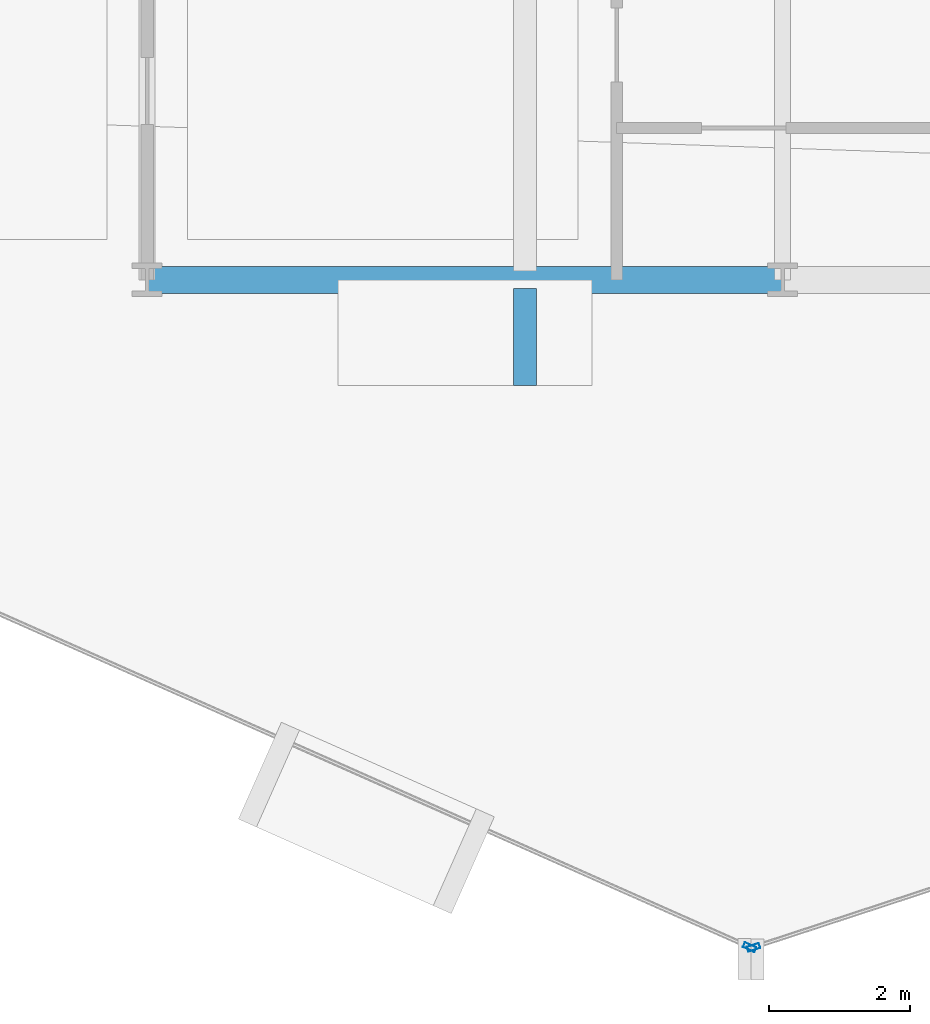
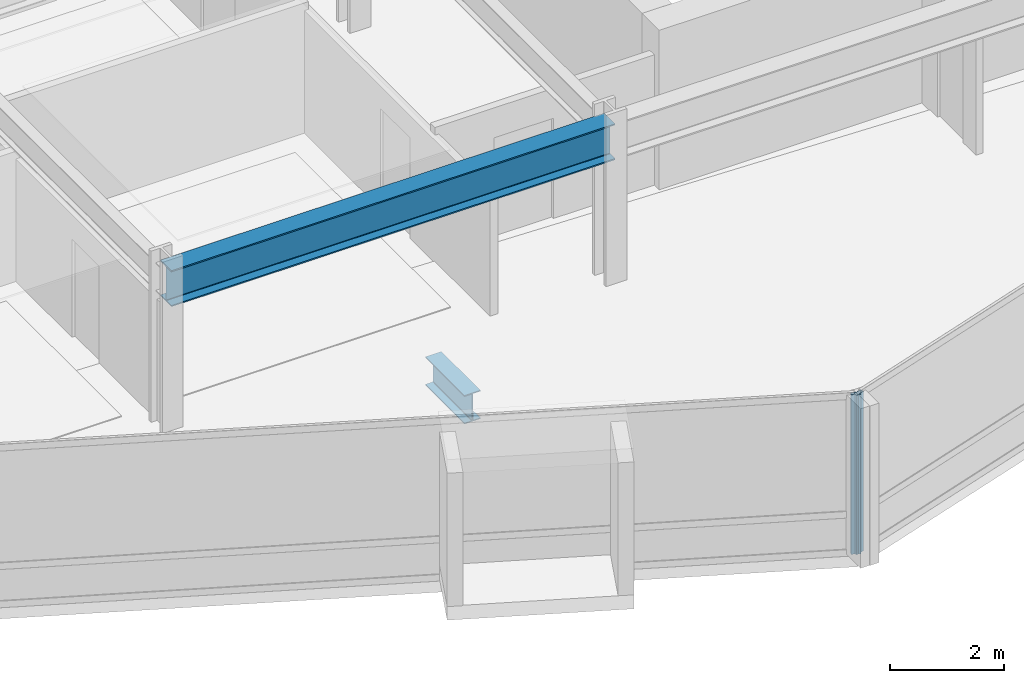
# One storey, part 4 of 34: 2 beams, 2 members, 2 elements without a shape of their own.
"""IFC4 building model written with IfcOpenShell, lengths in metres."""

import ifcopenshell
import ifcopenshell.guid

model = None  # the IFC model being written
_history = None  # IfcOwnerHistory: only IFC2X3 demands one
_inside = {}  # id of a spatial element -> (the spatial element, [elements in it])
_under = {}  # id of a project, library or spatial element -> (it, [spatial elements below it])
_declared = {}  # id of a project -> (the project, [libraries it declares])
_typed = {}  # id of a type object -> (the type object, [elements of that type])
_made_of = {}  # id of a material, layer set ... -> (it, [elements and type objects made of it])


def new_model(schema):
    """Start an empty IFC model of exactly this schema.

    Asked for "IFC4X3", IfcOpenShell would pick the latest addendum, in which some entities
    have other attributes; the version numbers below select the first issue.
    IFC2X3 requires an IfcOwnerHistory on every rooted entity: one is made here for all.
    """
    global model, _history
    if schema == "IFC4X3":
        model = ifcopenshell.file(schema_version=(4, 3, 0, 0))
    else:
        model = ifcopenshell.file(schema=schema)
    _inside.clear()
    _under.clear()
    _declared.clear()
    _typed.clear()
    _made_of.clear()
    _history = None
    if model.schema == "IFC2X3":
        org = make("IfcOrganization", Name="unknown")
        user = make(
            "IfcPersonAndOrganization",
            ThePerson=make("IfcPerson", FamilyName="unknown"),
            TheOrganization=org,
        )
        app = make(
            "IfcApplication",
            ApplicationDeveloper=org,
            Version="unknown",
            ApplicationFullName="unknown",
            ApplicationIdentifier="unknown",
        )
        _history = make(
            "IfcOwnerHistory",
            OwningUser=user,
            OwningApplication=app,
            ChangeAction="ADDED",
            CreationDate=0,
        )
    return model


def make(cls, **values):
    """One entity of the class cls with the attributes given. An attribute that is None is left unset."""
    return model.create_entity(
        cls, **{name: value for name, value in values.items() if value is not None}
    )


def rooted(cls, **values):
    """An entity with a GlobalId (a new one), such as an element, a storey or a relation."""
    return make(cls, GlobalId=ifcopenshell.guid.new(), OwnerHistory=_history, **values)


def si_unit(unit_type, name, prefix=None):
    """IfcSIUnit, for example si_unit("LENGTHUNIT", "METRE", prefix="MILLI")."""
    return make("IfcSIUnit", UnitType=unit_type, Prefix=prefix, Name=name)


def assignment(units):
    """IfcUnitAssignment: the units of a project."""
    return None if units is None else make("IfcUnitAssignment", Units=units)


def point(xyz):
    """IfcCartesianPoint."""
    return None if xyz is None else make("IfcCartesianPoint", Coordinates=xyz)


def direction(xyz):
    """IfcDirection."""
    return None if xyz is None else make("IfcDirection", DirectionRatios=xyz)


def frame(location, z_axis=None, x_axis=None):
    """IfcAxis2Placement3D, a coordinate frame: its origin and axes. An axis left out is left unset."""
    return make(
        "IfcAxis2Placement3D",
        Location=point(location),
        Axis=direction(z_axis),
        RefDirection=direction(x_axis),
    )


def frame_2d(location, x_axis=None):
    """IfcAxis2Placement2D, a coordinate frame in the plane: its origin and x axis."""
    return make(
        "IfcAxis2Placement2D", Location=point(location), RefDirection=direction(x_axis)
    )


def origin():
    """The frame at (0, 0, 0) with its axes left unset."""
    return frame((0.0, 0.0, 0.0))


def origin_2d():
    """The frame at (0, 0) in the plane with its x axis left unset."""
    return frame_2d((0.0, 0.0))


def place(relative_to, where):
    """IfcLocalPlacement: puts the frame where relative to a parent placement (None: the world)."""
    return make(
        "IfcLocalPlacement", PlacementRelTo=relative_to, RelativePlacement=where
    )


def context(
    kind, dimensions, precision=None, world=None, true_north=None, identifier=None
):
    """IfcGeometricRepresentationContext, for example the 3D "Model" context."""
    return make(
        "IfcGeometricRepresentationContext",
        ContextIdentifier=identifier,
        ContextType=kind,
        CoordinateSpaceDimension=dimensions,
        Precision=precision,
        WorldCoordinateSystem=world,
        TrueNorth=true_north,
    )


def subcontext(parent, identifier, kind, view, scale=None):
    """IfcGeometricRepresentationSubContext, for example "Body" below "Model"."""
    return make(
        "IfcGeometricRepresentationSubContext",
        ContextIdentifier=identifier,
        ContextType=kind,
        ParentContext=parent,
        TargetScale=scale,
        TargetView=view,
    )


def project(units=None, contexts=None):
    """IfcProject with its units and contexts."""
    return rooted(
        "IfcProject",
        Name="project",
        RepresentationContexts=contexts,
        UnitsInContext=assignment(units),
    )


def spatial(cls, under=None, at=None, **own):
    """A site, building, storey or space (cls), placed at a placement, below another one or the project."""
    s = rooted(cls, ObjectPlacement=at, **own)
    if under is not None:
        _under.setdefault(under.id(), (under, []))[1].append(s)
    return s


def profile(cls, at=None, kind="AREA", **sizes):
    """A parametric profile (cls). Its sizes go by their IFC names, for example OverallWidth=200.0."""
    return make(cls, ProfileType=kind, Position=at, **sizes)


def hollow_rectangle(**sizes):
    """IfcRectangleHollowProfileDef."""
    return profile("IfcRectangleHollowProfileDef", **sizes)


def i_section(**sizes):
    """IfcIShapeProfileDef."""
    return profile("IfcIShapeProfileDef", **sizes)


def extrude(swept, where, along, depth):
    """IfcExtrudedAreaSolid: the profile swept, set in the frame where, extruded along a direction by depth."""
    return make(
        "IfcExtrudedAreaSolid",
        SweptArea=swept,
        Position=where,
        ExtrudedDirection=direction(along),
        Depth=depth,
    )


def shape(context_of_items, identifier, shape_type, items):
    """IfcShapeRepresentation: the items that make up one representation, for example the "Body"."""
    return make(
        "IfcShapeRepresentation",
        ContextOfItems=context_of_items,
        RepresentationIdentifier=identifier,
        RepresentationType=shape_type,
        Items=items,
    )


def material(Name=None, Category=None):
    """IfcMaterial."""
    return make("IfcMaterial", Name=Name, Category=Category)


def layer(
    of_material, thickness, ventilated=None, Name=None, Category=None, Priority=None
):
    """IfcMaterialLayer: one layer of a wall or slab, of a material (None: an air gap)."""
    return make(
        "IfcMaterialLayer",
        Material=of_material,
        LayerThickness=thickness,
        IsVentilated=ventilated,
        Name=Name,
        Category=Category,
        Priority=Priority,
    )


def layer_set(layers, Name=None):
    """IfcMaterialLayerSet."""
    return make("IfcMaterialLayerSet", MaterialLayers=layers, LayerSetName=Name)


def material_profile(
    of_material, cross_section, Name=None, Category=None, Priority=None
):
    """IfcMaterialProfile: a cross section and its material."""
    return make(
        "IfcMaterialProfile",
        Name=Name,
        Material=of_material,
        Profile=cross_section,
        Priority=Priority,
        Category=Category,
    )


def profile_set(profiles, Name=None, composite=None):
    """IfcMaterialProfileSet."""
    return make(
        "IfcMaterialProfileSet",
        Name=Name,
        MaterialProfiles=profiles,
        CompositeProfile=composite,
    )


def made_of(thing, what):
    """Note that an element or type object is made of a material, layer set ...; save() writes the relation."""
    if what is not None:
        _made_of.setdefault(what.id(), (what, []))[1].append(thing)
    return thing


def type_object(cls, material=None, **own):
    """A type object (cls), such as IfcWallType, which elements share."""
    return made_of(rooted(cls, **own), material)


def element(
    cls,
    number,
    at=None,
    inside=None,
    cuts=None,
    type_object=None,
    material=None,
    context=None,
    identifier="Body",
    shape_type=None,
    held_by="IfcProductDefinitionShape",
    body=None,
    shapes=None,
    **own,
):
    """One element of the class cls, such as IfcWall. Its Tag is "e" and its number.

    at: its placement. inside: the storey or other place that contains it. cuts: it is an
    opening in that element (IfcRelVoidsElement). A single representation is given by context,
    identifier, shape_type and body (its items); several are given by shapes. held_by: the class
    of the entity that holds the representations. save() writes the other relations.
    """
    e = rooted(cls, Tag="e%d" % number, ObjectPlacement=at, **own)
    if body is not None:
        shapes = [shape(context, identifier, shape_type, body)]
    if shapes is not None:
        e.Representation = make(held_by, Representations=shapes)
    if inside is not None:
        _inside.setdefault(inside.id(), (inside, []))[1].append(e)
    if cuts is not None:
        rooted(
            "IfcRelVoidsElement", RelatingBuildingElement=cuts, RelatedOpeningElement=e
        )
    if type_object is not None:
        _typed.setdefault(type_object.id(), (type_object, []))[1].append(e)
    return made_of(e, material)


def aggregate(whole, parts):
    """IfcRelAggregates: a whole, such as a stair, and the parts it consists of."""
    return rooted("IfcRelAggregates", RelatingObject=whole, RelatedObjects=parts)


def save(model, path):
    """Write the relations noted so far, then the file.

    IfcRelAggregates (storeys below a building ...), IfcRelContainedInSpatialStructure (elements
    in a storey), IfcRelDefinesByType, IfcRelAssociatesMaterial and IfcRelDeclares: one each for
    every whole, place, type object, material and project.
    """
    for whole, parts in _under.values():
        aggregate(whole, parts)
    for where, things in _inside.values():
        rooted(
            "IfcRelContainedInSpatialStructure",
            RelatedElements=things,
            RelatingStructure=where,
        )
    for kind, things in _typed.values():
        rooted("IfcRelDefinesByType", RelatedObjects=things, RelatingType=kind)
    for what, things in _made_of.values():
        rooted("IfcRelAssociatesMaterial", RelatedObjects=things, RelatingMaterial=what)
    for by, libraries in _declared.values():
        rooted("IfcRelDeclares", RelatingContext=by, RelatedDefinitions=libraries)
    model.write(path)


model = new_model("IFC4")

# Units and contexts
model_context = context("Model", 3, precision=1e-05, world=origin(), true_north=direction((0.0, 1.0)))
body_context = subcontext(model_context, "Body", "Model", "MODEL_VIEW")
ifc_project = project(units=[si_unit("LENGTHUNIT", "METRE"), si_unit("AREAUNIT", "SQUARE_METRE"), si_unit("VOLUMEUNIT", "CUBIC_METRE"), si_unit("PLANEANGLEUNIT", "RADIAN"), si_unit("MASSUNIT", "GRAM", prefix="KILO")], contexts=[model_context])

# Site, building, storey
site_placement = place(None, origin())
site = spatial("IfcSite", under=ifc_project, at=site_placement, CompositionType="ELEMENT")
building_placement = place(site_placement, origin())
building = spatial("IfcBuilding", under=site, at=building_placement, Name="Solvaryn Broadcast Tower", CompositionType="ELEMENT")
storey_placement = place(building_placement, frame((0.0, 0.0, 92.800048828125)))
storey = spatial("IfcBuildingStorey", under=building, at=storey_placement, Name="L22", CompositionType="ELEMENT", Elevation=92.800048828125)

# Beams
ifc_material_1 = material(Name="Steel ASTM A992 Grade 50", Category="steel")
ifc_material_profile_1 = material_profile(ifc_material_1, i_section(OverallWidth=0.323974609375, OverallDepth=0.611083984375, WebThickness=0.0126953125, FlangeThickness=0.01904296875, FilletRadius=0.014892578125, at=origin_2d()))
ifc_profile_set_1 = profile_set([ifc_material_profile_1], Name="Steel ASTM A992 Grade 50")
beam_type_1 = type_object("IfcBeamType", Name="BM-CANT-TER", PredefinedType="BEAM", material=ifc_profile_set_1)
beam_1_placement = place(storey_placement, frame((23.35009765625, 8.875, -0.58544921875), z_axis=(0.0, -1.0, 0.0), x_axis=(1.0, 0.0, 0.0)))
element("IfcBeam", 1, at=beam_1_placement, inside=storey, type_object=beam_type_1, Name="L22 Bay-Box Cantilever Bracket 1", PredefinedType="BEAM", context=body_context, shape_type="SweptSolid", body=[
    extrude(i_section(OverallWidth=0.323974609375, OverallDepth=0.611083984375, WebThickness=0.0126953125, FlangeThickness=0.01904296875, FilletRadius=0.014892578125, at=origin_2d()), origin(), (0.0, 0.0, 1.0), 1.375),
])
ifc_material_2 = material(Name="Steel ASTM A992 Grade 50", Category="steel")
ifc_material_profile_2 = material_profile(ifc_material_2, i_section(OverallWidth=0.381103515625, OverallDepth=0.77294921875, WebThickness=0.0166015625, FlangeThickness=0.027099609375, FilletRadius=0.01806640625, at=origin_2d()))
ifc_profile_set_2 = profile_set([ifc_material_profile_2], Name="Steel ASTM A992 Grade 50")
beam_type_2 = type_object("IfcBeamType", Name="BM-SP1-W30X173", PredefinedType="USERDEFINED", material=ifc_profile_set_2)
beam_2_placement = place(storey_placement, frame((18.0, 9.0, 3.033447265625), z_axis=(1.0, 0.0, 0.0), x_axis=(0.0, 1.0, 0.0)))
element("IfcBeam", 2, at=beam_2_placement, inside=storey, type_object=beam_type_2, Name="L22 Spandrel Beam X (18-27 @ Y=9)", ObjectType="SPANDREL", PredefinedType="USERDEFINED", context=body_context, shape_type="SweptSolid", body=[
    extrude(i_section(OverallWidth=0.381103515625, OverallDepth=0.77294921875, WebThickness=0.0166015625, FlangeThickness=0.027099609375, FilletRadius=0.01806640625, at=origin_2d()), origin(), (0.0, 0.0, 1.0), 9.0),
])

# Curtain wall, member
ifc_material_3 = material(Name="Aluminium and Terracotta Unitised Curtain Wall", Category="masonry")
ifc_layer = layer(ifc_material_3, 0.199951171875)
ifc_layer_set = layer_set([ifc_layer], Name="CW-SYS2-LOWMID")
curtain_wall_type = type_object("IfcCurtainWallType", Name="CW-SYS2-LOWMID", PredefinedType="NOTDEFINED", material=ifc_layer_set)
curtain_wall_1_placement = place(storey_placement, origin())
curtain_wall_1 = element("IfcCurtainWall", 3, at=curtain_wall_1_placement, inside=storey, type_object=curtain_wall_type, Name="L22 Curtain Wall DR3", PredefinedType="NOTDEFINED")
ifc_material_4 = material(Name="Anodised Aluminium 6063-T6", Category="aluminium")
ifc_material_profile_3 = material_profile(ifc_material_4, hollow_rectangle(XDim=0.074951171875, YDim=0.179931640625, WallThickness=0.00390625, InnerFilletRadius=0.00390625, OuterFilletRadius=0.008056640625, at=origin_2d()))
ifc_profile_set_3 = profile_set([ifc_material_profile_3], Name="Anodised Aluminium 6063-T6")
member_type = type_object("IfcMemberType", Name="CW-MUL-180", PredefinedType="MULLION", material=ifc_profile_set_3)
member_1_placement = place(storey_placement, frame((26.532470703125, -0.451904296875, 0.0), z_axis=(0.0, 0.0, 1.0), x_axis=(0.405898286554, 0.913918257271, 0.0)))
member_1 = element("IfcMember", 4, at=member_1_placement, type_object=member_type, Name="CWS2 mullion 2", PredefinedType="MULLION", context=body_context, shape_type="SweptSolid", body=[
    extrude(hollow_rectangle(XDim=0.074951171875, YDim=0.179931640625, WallThickness=0.00390625, InnerFilletRadius=0.00390625, OuterFilletRadius=0.008056640625, at=origin_2d()), origin(), (0.0, 0.0, 1.0), 3.419921875),
])
aggregate(curtain_wall_1, [member_1])

curtain_wall_2_placement = place(storey_placement, origin())
curtain_wall_2 = element("IfcCurtainWall", 5, at=curtain_wall_2_placement, inside=storey, type_object=curtain_wall_type, Name="L22 Curtain Wall DR4", PredefinedType="NOTDEFINED")
member_2_placement = place(storey_placement, frame((26.588623046875, -0.45458984375, 0.0), z_axis=(0.0, 0.0, 1.0), x_axis=(-0.311594044587, 0.950215318429, 0.0)))
member_2 = element("IfcMember", 6, at=member_2_placement, type_object=member_type, Name="CWS2 mullion 1", PredefinedType="MULLION", context=body_context, shape_type="SweptSolid", body=[
    extrude(hollow_rectangle(XDim=0.074951171875, YDim=0.179931640625, WallThickness=0.00390625, InnerFilletRadius=0.00390625, OuterFilletRadius=0.008056640625, at=origin_2d()), origin(), (0.0, 0.0, 1.0), 3.419921875),
])
aggregate(curtain_wall_2, [member_2])

save(model, "model.ifc")
